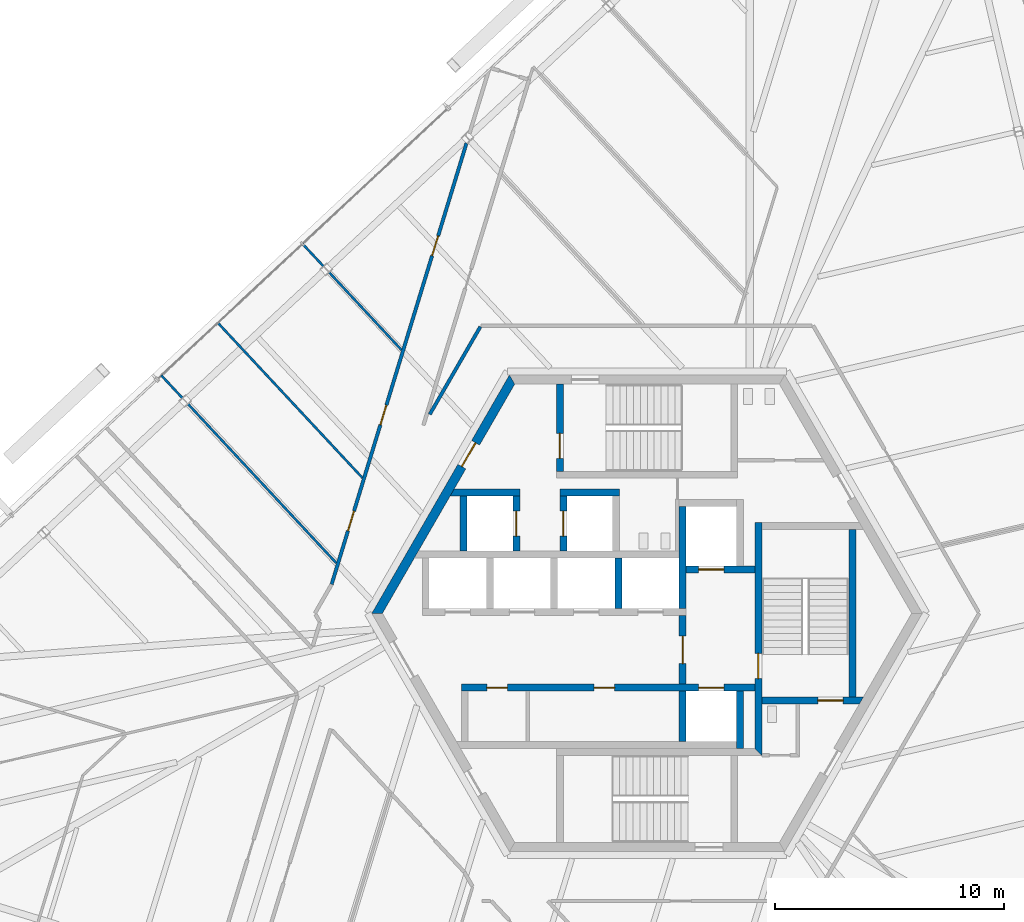
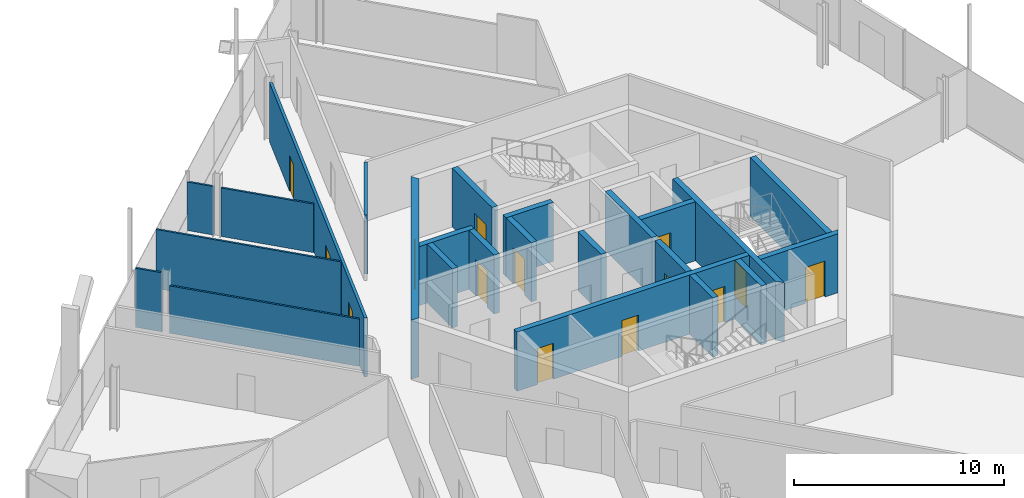
# One storey, part 14 of 23: 24 walls, 14 doors, 14 openings.
"""IFC4 building model written with IfcOpenShell, lengths in metres."""

from ifc_helpers import new_model, si_unit, direction, frame, frame_2d, origin, place, context, subcontext, project, spatial, polyline, rectangle, outline, extrude, source, transform, mapped, material, layer, layer_set, type_object, element, fill, save


model = new_model("IFC4")

# Units and contexts
model_context = context("Model", 3, precision=1e-05, world=origin(), true_north=direction((0.0, 1.0)))
body_context = subcontext(model_context, "Body", "Model", "MODEL_VIEW")
ifc_project = project(units=[si_unit("LENGTHUNIT", "METRE"), si_unit("AREAUNIT", "SQUARE_METRE"), si_unit("VOLUMEUNIT", "CUBIC_METRE"), si_unit("PLANEANGLEUNIT", "RADIAN"), si_unit("MASSUNIT", "GRAM", prefix="KILO")], contexts=[model_context])

# Site, building, storey
site_placement = place(None, origin())
site = spatial("IfcSite", under=ifc_project, at=site_placement, CompositionType="ELEMENT")
building_placement = place(site_placement, origin())
building = spatial("IfcBuilding", under=site, at=building_placement, Name="Triune Harvest Tower", CompositionType="ELEMENT")
storey_placement = place(building_placement, frame((0.0, 0.0, 105.5)))
storey = spatial("IfcBuildingStorey", under=building, at=storey_placement, Name="L26", CompositionType="ELEMENT", Elevation=105.5)

# Walls
ifc_material_1 = material(Name="Gypsum board on steel studs", Category="steel")
ifc_layer_1 = layer(ifc_material_1, 0.14990234375)
ifc_layer_set_1 = layer_set([ifc_layer_1], Name="Gypsum board on steel studs")
wall_type_1 = type_object("IfcWallType", Name="Fire Partition 150 mm", PredefinedType="PARTITIONING", material=ifc_layer_set_1)
wall_1_placement = place(storey_placement, frame((-9.47509765625, 8.673828125, 0.0), z_axis=(0.0, 0.0, 1.0), x_axis=(0.500027084986, 0.866009765696, 0.0)))
element("IfcWall", 1, at=wall_1_placement, inside=storey, type_object=wall_type_1, Name="Partition L26 036", PredefinedType="PARTITIONING", context=body_context, shape_type="SweptSolid", body=[
    extrude(rectangle(XDim=4.416748046875, YDim=0.14990234375, at=frame_2d((2.20849609375, 0.0))), origin(), (0.0, 0.0, 1.0), 3.43994140625),
])
ifc_material_2 = material(Name="Gypsum board on steel studs", Category="steel")
ifc_layer_2 = layer(ifc_material_2, 0.10009765625)
ifc_layer_set_2 = layer_set([ifc_layer_2], Name="Gypsum board on steel studs")
wall_type_2 = type_object("IfcWallType", Name="Partition 100 mm", PredefinedType="PARTITIONING", material=ifc_layer_set_2)
wall_2_placement = place(storey_placement, frame((-18.712890625, 12.664306640625, 0.0), z_axis=(0.0, 0.0, 1.0), x_axis=(0.68199889209, -0.731353205495, 0.0)))
element("IfcWall", 2, at=wall_2_placement, inside=storey, type_object=wall_type_2, Name="Partition L26 012", PredefinedType="PARTITIONING", context=body_context, shape_type="SweptSolid", body=[
    extrude(rectangle(XDim=9.235595703125, YDim=0.10009765625, at=frame_2d((4.61767578125, 0.0))), origin(), (0.0, 0.0, 1.0), 3.43994140625),
])
wall_3_placement = place(storey_placement, frame((-15.0205078125, 16.107421875, 0.0), z_axis=(0.0, 0.0, 1.0), x_axis=(0.68204515899, -0.731310058114, 0.0)))
element("IfcWall", 3, at=wall_3_placement, inside=storey, type_object=wall_type_2, Name="Partition L26 013", PredefinedType="PARTITIONING", context=body_context, shape_type="SweptSolid", body=[
    extrude(rectangle(XDim=1.338134765625, YDim=0.10009765625, at=frame_2d((0.6689453125, 0.0))), origin(), (0.0, 0.0, 1.0), 2.827880859375),
])

# Wall, opening, door
ifc_material_3 = material(Name="Concrete 70 MPa", Category="concrete")
ifc_layer_3 = layer(ifc_material_3, 0.39990234375)
ifc_layer_set_3 = layer_set([ifc_layer_3], Name="Concrete 70 MPa")
wall_type_3 = type_object("IfcWallType", Name="Core wall 400", PredefinedType="SHEAR", material=ifc_layer_set_3)
shared_shape_1 = source(origin(), body_context, "Body", "SweptSolid", [
    extrude(outline(polyline([(-0.115478515625, -0.199951171875), (11.884521484375, -0.199951171875), (11.653564453125, 0.199951171875), (0.115478515625, 0.199951171875), (-0.115478515625, -0.199951171875)])), origin(), (0.0, 0.0, 1.0), 3.43994140625),
])
wall_4_placement = place(storey_placement, frame((-5.884521484375, 10.1923828125, 0.0), z_axis=(0.0, 0.0, 1.0), x_axis=(-0.499996592174, -0.866027371285, 0.0)))
wall_4 = element("IfcWall", 4, at=wall_4_placement, inside=storey, type_object=wall_type_3, Name="Hexagon 2 wall", PredefinedType="SHEAR", context=body_context, shape_type="MappedRepresentation", body=[
    mapped(shared_shape_1, transform((0.0, 0.0, 0.0), scale=1.0)),
])
opening_1_placement = place(wall_4_placement, frame((3.1845703125, 0.0, 0.0)))
opening_1 = element("IfcOpeningElement", 5, at=opening_1_placement, cuts=wall_4, Name="Opening CD-SVP", PredefinedType="OPENING", context=body_context, shape_type="SweptSolid", body=[
    extrude(rectangle(XDim=1.199951171875, YDim=2.10009765625, at=frame_2d((0.60009765625, 1.050048828125))), frame((0.0, 0.2099609375, 0.0), z_axis=(0.0, -1.0, 0.0), x_axis=(1.0, 0.0, 0.0)), (0.0, 0.0, 1.0), 0.419921875),
])
ifc_material_4 = material(Name="Steel S235", Category="steel")
door_type_1 = type_object("IfcDoorType", Name="Service door 1200 FD120", OperationType="SINGLE_SWING_LEFT", PredefinedType="DOOR", material=ifc_material_4)
door_1_placement = place(opening_1_placement, frame((1.199951171875, 0.0, 0.0), z_axis=(0.0, 0.0, 1.0), x_axis=(-1.0, 0.0, 0.0)))
door_1 = element("IfcDoor", 6, at=door_1_placement, inside=storey, type_object=door_type_1, Name="Door CD-SVP", OperationType="SINGLE_SWING_RIGHT", OverallHeight=2.10009765625, OverallWidth=1.199951171875, PredefinedType="DOOR", context=body_context, shape_type="SweptSolid", body=[
    extrude(rectangle(XDim=1.199951171875, YDim=2.10009765625, at=frame_2d((0.60009765625, 1.050048828125))), frame((0.0, 0.02490234375, 0.0), z_axis=(0.0, -1.0, 0.0), x_axis=(1.0, 0.0, 0.0)), (0.0, 0.0, 1.0), 0.050048828125),
])
fill(opening_1, door_1)

# Walls
ifc_material_5 = material(Name="Concrete 70 MPa", Category="concrete")
ifc_layer_4 = layer(ifc_material_5, 0.300048828125)
ifc_layer_set_4 = layer_set([ifc_layer_4], Name="Concrete 70 MPa")
wall_type_4 = type_object("IfcWallType", Name="Core wall 300", PredefinedType="SHEAR", material=ifc_layer_set_4)
shared_shape_2 = source(origin(), body_context, "Body", "SweptSolid", [
    extrude(rectangle(XDim=2.5, YDim=0.300048828125, at=frame_2d((1.25, 0.0))), origin(), (0.0, 0.0, 1.0), 3.43994140625),
])
wall_5_placement = place(storey_placement, frame((4.050048828125, -5.889892578125, 0.0), z_axis=(0.0, 0.0, 1.0), x_axis=(0.0, 1.0, 0.0)))
element("IfcWall", 7, at=wall_5_placement, inside=storey, type_object=wall_type_4, Name="Ff2 east wall", PredefinedType="SHEAR", context=body_context, shape_type="MappedRepresentation", body=[
    mapped(shared_shape_2, transform((0.0, 0.0, 0.0), scale=1.0)),
])
shared_shape_3 = source(origin(), body_context, "Body", "SweptSolid", [
    extrude(rectangle(XDim=4.449951171875, YDim=0.300048828125, at=frame_2d((2.22509765625, 0.0))), origin(), (0.0, 0.0, 1.0), 3.43994140625),
])
wall_6_placement = place(storey_placement, frame((1.550048828125, 0.2099609375, 0.0), z_axis=(0.0, 0.0, 1.0), x_axis=(0.0, 1.0, 0.0)))
element("IfcWall", 8, at=wall_6_placement, inside=storey, type_object=wall_type_4, Name="Ff1 west wall", PredefinedType="SHEAR", context=body_context, shape_type="MappedRepresentation", body=[
    mapped(shared_shape_3, transform((0.0, 0.0, 0.0), scale=1.0)),
])

# Wall, opening, door
shared_shape_4 = source(origin(), body_context, "Body", "SweptSolid", [
    extrude(rectangle(XDim=3.0, YDim=0.300048828125, at=frame_2d((1.5, 0.0))), origin(), (0.0, 0.0, 1.0), 3.43994140625),
])
wall_7_placement = place(storey_placement, frame((1.699951171875, 1.909912109375, 0.0), z_axis=(0.0, 0.0, 1.0), x_axis=(1.0, 0.0, 0.0)))
wall_7 = element("IfcWall", 9, at=wall_7_placement, inside=storey, type_object=wall_type_4, Name="Ff1 front wall", PredefinedType="SHEAR", context=body_context, shape_type="MappedRepresentation", body=[
    mapped(shared_shape_4, transform((0.0, 0.0, 0.0), scale=1.0)),
])
opening_2_placement = place(wall_7_placement, frame((0.550048828125, 0.0, 0.0)))
opening_2 = element("IfcOpeningElement", 10, at=opening_2_placement, cuts=wall_7, Name="Opening LD-FF1-26", PredefinedType="OPENING", context=body_context, shape_type="SweptSolid", body=[
    extrude(rectangle(XDim=1.10009765625, YDim=2.10009765625, at=frame_2d((0.550048828125, 1.050048828125))), frame((0.0, 0.16015625, 0.0), z_axis=(0.0, -1.0, 0.0), x_axis=(1.0, 0.0, 0.0)), (0.0, 0.0, 1.0), 0.320068359375),
])
ifc_material_6 = material(Name="Stainless steel AISI 304", Category="steel")
door_type_2 = type_object("IfcDoorType", Name="Landing door 1100 x 2100", OperationType="DOUBLE_DOOR_SLIDING", PredefinedType="DOOR", material=ifc_material_6)
door_2_placement = place(opening_2_placement, origin())
door_2 = element("IfcDoor", 11, at=door_2_placement, inside=storey, type_object=door_type_2, Name="Door LD-FF1-26", OperationType="DOUBLE_DOOR_SLIDING", OverallHeight=2.10009765625, OverallWidth=1.10009765625, PredefinedType="DOOR", context=body_context, shape_type="SweptSolid", body=[
    extrude(rectangle(XDim=1.10009765625, YDim=2.10009765625, at=frame_2d((0.550048828125, 1.050048828125))), frame((0.0, 0.02490234375, 0.0), z_axis=(0.0, -1.0, 0.0), x_axis=(1.0, 0.0, 0.0)), (0.0, 0.0, 1.0), 0.050048828125),
])
fill(opening_2, door_2)

wall_8_placement = place(storey_placement, frame((1.550048828125, -3.090087890625, 0.0), z_axis=(0.0, 0.0, 1.0), x_axis=(0.0, 1.0, 0.0)))
wall_8 = element("IfcWall", 12, at=wall_8_placement, inside=storey, type_object=wall_type_4, Name="Ff lobby west wall", PredefinedType="SHEAR", context=body_context, shape_type="MappedRepresentation", body=[
    mapped(shared_shape_4, transform((0.0, 0.0, 0.0), scale=1.0)),
])
opening_3_placement = place(wall_8_placement, frame((0.89990234375, 0.0, 0.0)))
opening_3 = element("IfcOpeningElement", 13, at=opening_3_placement, cuts=wall_8, Name="Opening CD-FL", PredefinedType="OPENING", context=body_context, shape_type="SweptSolid", body=[
    extrude(rectangle(XDim=1.199951171875, YDim=2.10009765625, at=frame_2d((0.60009765625, 1.050048828125))), frame((0.0, 0.16015625, 0.0), z_axis=(0.0, -1.0, 0.0), x_axis=(1.0, 0.0, 0.0)), (0.0, 0.0, 1.0), 0.320068359375),
])
ifc_material_7 = material(Name="Steel S235", Category="steel")
door_type_3 = type_object("IfcDoorType", Name="Firefighters' lobby door 1200 FD120", OperationType="SINGLE_SWING_LEFT", PredefinedType="DOOR", material=ifc_material_7)
door_3_placement = place(opening_3_placement, frame((1.199951171875, 0.0, 0.0), z_axis=(0.0, 0.0, 1.0), x_axis=(-1.0, 0.0, 0.0)))
door_3 = element("IfcDoor", 14, at=door_3_placement, inside=storey, type_object=door_type_3, Name="Door CD-FL", OperationType="SINGLE_SWING_RIGHT", OverallHeight=2.10009765625, OverallWidth=1.199951171875, PredefinedType="DOOR", context=body_context, shape_type="SweptSolid", body=[
    extrude(rectangle(XDim=1.199951171875, YDim=2.10009765625, at=frame_2d((0.60009765625, 1.050048828125))), frame((0.0, 0.02490234375, 0.0), z_axis=(0.0, -1.0, 0.0), x_axis=(1.0, 0.0, 0.0)), (0.0, 0.0, 1.0), 0.050048828125),
])
fill(opening_3, door_3)

# Wall, openings, doors
shared_shape_5 = source(origin(), body_context, "Body", "SweptSolid", [
    extrude(rectangle(XDim=12.800048828125, YDim=0.300048828125, at=frame_2d((6.39990234375, 0.0))), origin(), (0.0, 0.0, 1.0), 3.43994140625),
])
wall_9_placement = place(storey_placement, frame((-8.10009765625, -3.239990234375, 0.0), z_axis=(0.0, 0.0, 1.0), x_axis=(1.0, 0.0, 0.0)))
wall_9 = element("IfcWall", 15, at=wall_9_placement, inside=storey, type_object=wall_type_4, Name="South front wall", PredefinedType="SHEAR", context=body_context, shape_type="MappedRepresentation", body=[
    mapped(shared_shape_5, transform((0.0, 0.0, 0.0), scale=1.0)),
])
opening_4_placement = place(wall_9_placement, frame((1.112548828125, 0.0, 0.0)))
opening_4 = element("IfcOpeningElement", 16, at=opening_4_placement, cuts=wall_9, Name="Opening CD-RS1", PredefinedType="OPENING", context=body_context, shape_type="SweptSolid", body=[
    extrude(rectangle(XDim=0.89990234375, YDim=2.10009765625, at=frame_2d((0.449951171875, 1.050048828125))), frame((0.0, 0.16015625, 0.0), z_axis=(0.0, -1.0, 0.0), x_axis=(1.0, 0.0, 0.0)), (0.0, 0.0, 1.0), 0.320068359375),
])
opening_5_placement = place(wall_9_placement, frame((5.78759765625, 0.0, 0.0)))
opening_5 = element("IfcOpeningElement", 17, at=opening_5_placement, cuts=wall_9, Name="Opening CD-RS2", PredefinedType="OPENING", context=body_context, shape_type="SweptSolid", body=[
    extrude(rectangle(XDim=0.89990234375, YDim=2.10009765625, at=frame_2d((0.449951171875, 1.050048828125))), frame((0.0, 0.16015625, 0.0), z_axis=(0.0, -1.0, 0.0), x_axis=(1.0, 0.0, 0.0)), (0.0, 0.0, 1.0), 0.320068359375),
])
opening_6_placement = place(wall_9_placement, frame((10.35009765625, 0.0, 0.0)))
opening_6 = element("IfcOpeningElement", 18, at=opening_6_placement, cuts=wall_9, Name="Opening LD-FF2-26", PredefinedType="OPENING", context=body_context, shape_type="SweptSolid", body=[
    extrude(rectangle(XDim=1.10009765625, YDim=2.10009765625, at=frame_2d((0.550048828125, 1.050048828125))), frame((0.0, 0.16015625, 0.0), z_axis=(0.0, -1.0, 0.0), x_axis=(1.0, 0.0, 0.0)), (0.0, 0.0, 1.0), 0.320068359375),
])
door_4_placement = place(opening_6_placement, origin())
door_4 = element("IfcDoor", 19, at=door_4_placement, inside=storey, type_object=door_type_2, Name="Door LD-FF2-26", OperationType="DOUBLE_DOOR_SLIDING", OverallHeight=2.10009765625, OverallWidth=1.10009765625, PredefinedType="DOOR", context=body_context, shape_type="SweptSolid", body=[
    extrude(rectangle(XDim=1.10009765625, YDim=2.10009765625, at=frame_2d((0.550048828125, 1.050048828125))), frame((0.0, 0.02490234375, 0.0), z_axis=(0.0, -1.0, 0.0), x_axis=(1.0, 0.0, 0.0)), (0.0, 0.0, 1.0), 0.050048828125),
])
fill(opening_6, door_4)
ifc_material_8 = material(Name="Steel S235", Category="steel")
door_type_4 = type_object("IfcDoorType", Name="Riser door 900 FD120", OperationType="SINGLE_SWING_LEFT", PredefinedType="DOOR", material=ifc_material_8)
door_5_placement = place(opening_4_placement, origin())
door_5 = element("IfcDoor", 20, at=door_5_placement, inside=storey, type_object=door_type_4, Name="Door CD-RS1", OperationType="SINGLE_SWING_LEFT", OverallHeight=2.10009765625, OverallWidth=0.89990234375, PredefinedType="DOOR", context=body_context, shape_type="SweptSolid", body=[
    extrude(rectangle(XDim=0.89990234375, YDim=2.10009765625, at=frame_2d((0.449951171875, 1.050048828125))), frame((0.0, 0.02490234375, 0.0), z_axis=(0.0, -1.0, 0.0), x_axis=(1.0, 0.0, 0.0)), (0.0, 0.0, 1.0), 0.050048828125),
])
fill(opening_4, door_5)
door_6_placement = place(opening_5_placement, origin())
door_6 = element("IfcDoor", 21, at=door_6_placement, inside=storey, type_object=door_type_4, Name="Door CD-RS2", OperationType="SINGLE_SWING_LEFT", OverallHeight=2.10009765625, OverallWidth=0.89990234375, PredefinedType="DOOR", context=body_context, shape_type="SweptSolid", body=[
    extrude(rectangle(XDim=0.89990234375, YDim=2.10009765625, at=frame_2d((0.449951171875, 1.050048828125))), frame((0.0, 0.02490234375, 0.0), z_axis=(0.0, -1.0, 0.0), x_axis=(1.0, 0.0, 0.0)), (0.0, 0.0, 1.0), 0.050048828125),
])
fill(opening_5, door_6)

# Walls
shared_shape_6 = source(origin(), body_context, "Body", "SweptSolid", [
    extrude(rectangle(XDim=2.2001953125, YDim=0.300048828125, at=frame_2d((1.10009765625, 0.0))), origin(), (0.0, 0.0, 1.0), 3.43994140625),
])
wall_10_placement = place(storey_placement, frame((1.550048828125, -5.590087890625, 0.0), z_axis=(0.0, 0.0, 1.0), x_axis=(0.0, 1.0, 0.0)))
element("IfcWall", 22, at=wall_10_placement, inside=storey, type_object=wall_type_4, Name="Ff2 west wall", PredefinedType="SHEAR", context=body_context, shape_type="MappedRepresentation", body=[
    mapped(shared_shape_6, transform((0.0, 0.0, 0.0), scale=1.0)),
])
shared_shape_7 = source(origin(), body_context, "Body", "SweptSolid", [
    extrude(rectangle(XDim=2.199951171875, YDim=0.300048828125, at=frame_2d((1.10009765625, 0.0))), origin(), (0.0, 0.0, 1.0), 3.43994140625),
])
wall_11_placement = place(storey_placement, frame((-1.25, 0.2099609375, 0.0), z_axis=(0.0, 0.0, 1.0), x_axis=(0.0, 1.0, 0.0)))
element("IfcWall", 23, at=wall_11_placement, inside=storey, type_object=wall_type_4, Name="North cross 3 wall", PredefinedType="SHEAR", context=body_context, shape_type="MappedRepresentation", body=[
    mapped(shared_shape_7, transform((0.0, 0.0, 0.0), scale=1.0)),
])

# Wall, opening, door
shared_shape_8 = source(origin(), body_context, "Body", "SweptSolid", [
    extrude(outline(polyline([(-0.14990234375, -0.14990234375), (9.989990234375, -0.14990234375), (9.989990234375, 0.14990234375), (0.14990234375, 0.14990234375), (-0.14990234375, -0.14990234375)])), origin(), (0.0, 0.0, 1.0), 3.43994140625),
])
wall_12_placement = place(storey_placement, frame((4.85009765625, -6.0400390625, 0.0), z_axis=(0.0, 0.0, 1.0), x_axis=(0.0, 1.0, 0.0)))
wall_12 = element("IfcWall", 24, at=wall_12_placement, inside=storey, type_object=wall_type_4, Name="Stair e west wall", PredefinedType="SHEAR", context=body_context, shape_type="MappedRepresentation", body=[
    mapped(shared_shape_8, transform((0.0, 0.0, 0.0), scale=1.0)),
])
opening_7_placement = place(wall_12_placement, frame((3.18994140625, 0.0, 0.0)))
opening_7 = element("IfcOpeningElement", 25, at=opening_7_placement, cuts=wall_12, Name="Opening CD-S3L", PredefinedType="OPENING", context=body_context, shape_type="SweptSolid", body=[
    extrude(rectangle(XDim=1.10009765625, YDim=2.10009765625, at=frame_2d((0.550048828125, 1.050048828125))), frame((0.0, 0.16015625, 0.0), z_axis=(0.0, -1.0, 0.0), x_axis=(1.0, 0.0, 0.0)), (0.0, 0.0, 1.0), 0.320068359375),
])
ifc_material_9 = material(Name="Steel S235", Category="steel")
door_type_5 = type_object("IfcDoorType", Name="Stair door 1100 FD120", OperationType="SINGLE_SWING_LEFT", PredefinedType="DOOR", material=ifc_material_9)
door_7_placement = place(opening_7_placement, frame((1.10009765625, 0.0, 0.0), z_axis=(0.0, 0.0, 1.0), x_axis=(-1.0, 0.0, 0.0)))
door_7 = element("IfcDoor", 26, at=door_7_placement, inside=storey, type_object=door_type_5, Name="Door CD-S3L", OperationType="SINGLE_SWING_RIGHT", OverallHeight=2.10009765625, OverallWidth=1.10009765625, PredefinedType="DOOR", context=body_context, shape_type="SweptSolid", body=[
    extrude(rectangle(XDim=1.10009765625, YDim=2.10009765625, at=frame_2d((0.550048828125, 1.050048828125))), frame((0.0, 0.02490234375, 0.0), z_axis=(0.0, -1.0, 0.0), x_axis=(1.0, 0.0, 0.0)), (0.0, 0.0, 1.0), 0.050048828125),
])
fill(opening_7, door_7)

shared_shape_9 = source(origin(), body_context, "Body", "SweptSolid", [
    extrude(outline(polyline([(0.0, -0.14990234375), (0.0, 0.14990234375), (4.43310546875, 0.14990234375), (4.260009765625, -0.14990234375), (0.0, -0.14990234375)])), origin(), (0.0, 0.0, 1.0), 3.43994140625),
])
wall_13_placement = place(storey_placement, frame((5.0, -3.800048828125, 0.0), z_axis=(0.0, 0.0, 1.0), x_axis=(1.0, 0.0, 0.0)))
wall_13 = element("IfcWall", 27, at=wall_13_placement, inside=storey, type_object=wall_type_4, Name="Stair e south wall", PredefinedType="SHEAR", context=body_context, shape_type="MappedRepresentation", body=[
    mapped(shared_shape_9, transform((0.0, 0.0, 0.0), scale=1.0)),
])
opening_8_placement = place(wall_13_placement, frame((2.449951171875, 0.0, 0.0)))
opening_8 = element("IfcOpeningElement", 28, at=opening_8_placement, cuts=wall_13, Name="Opening CD-S3D", PredefinedType="OPENING", context=body_context, shape_type="SweptSolid", body=[
    extrude(rectangle(XDim=1.10009765625, YDim=2.10009765625, at=frame_2d((0.550048828125, 1.050048828125))), frame((0.0, 0.16015625, 0.0), z_axis=(0.0, -1.0, 0.0), x_axis=(1.0, 0.0, 0.0)), (0.0, 0.0, 1.0), 0.320068359375),
])
door_8_placement = place(opening_8_placement, frame((1.10009765625, 0.0, 0.0), z_axis=(0.0, 0.0, 1.0), x_axis=(-1.0, 0.0, 0.0)))
door_8 = element("IfcDoor", 29, at=door_8_placement, inside=storey, type_object=door_type_5, Name="Door CD-S3D", OperationType="SINGLE_SWING_RIGHT", OverallHeight=2.10009765625, OverallWidth=1.10009765625, PredefinedType="DOOR", context=body_context, shape_type="SweptSolid", body=[
    extrude(rectangle(XDim=1.10009765625, YDim=2.10009765625, at=frame_2d((0.550048828125, 1.050048828125))), frame((0.0, 0.02490234375, 0.0), z_axis=(0.0, -1.0, 0.0), x_axis=(1.0, 0.0, 0.0)), (0.0, 0.0, 1.0), 0.050048828125),
])
fill(opening_8, door_8)

# Wall
shared_shape_10 = source(origin(), body_context, "Body", "SweptSolid", [
    extrude(rectangle(XDim=7.2998046875, YDim=0.300048828125, at=frame_2d((3.64990234375, 0.0))), origin(), (0.0, 0.0, 1.0), 3.43994140625),
])
wall_14_placement = place(storey_placement, frame((8.949951171875, -3.64990234375, 0.0), z_axis=(0.0, 0.0, 1.0), x_axis=(0.0, 1.0, 0.0)))
element("IfcWall", 30, at=wall_14_placement, inside=storey, type_object=wall_type_4, Name="Stair e east wall", PredefinedType="SHEAR", context=body_context, shape_type="MappedRepresentation", body=[
    mapped(shared_shape_10, transform((0.0, 0.0, 0.0), scale=1.0)),
])

# Wall, opening, door
shared_shape_11 = source(origin(), body_context, "Body", "SweptSolid", [
    extrude(outline(polyline([(0.0, -0.14990234375), (0.0, 0.14990234375), (3.80419921875, 0.14990234375), (3.80419921875, -0.14990234375), (0.0, -0.14990234375)])), origin(), (0.0, 0.0, 1.0), 3.43994140625),
])
wall_15_placement = place(storey_placement, frame((-3.800048828125, 6.18994140625, 0.0), z_axis=(0.0, 0.0, 1.0), x_axis=(0.0, 1.0, 0.0)))
wall_15 = element("IfcWall", 31, at=wall_15_placement, inside=storey, type_object=wall_type_4, Name="Stair n west wall", PredefinedType="SHEAR", context=body_context, shape_type="MappedRepresentation", body=[
    mapped(shared_shape_11, transform((0.0, 0.0, 0.0), scale=1.0)),
])
opening_9_placement = place(wall_15_placement, frame((0.56005859375, 0.0, 0.0)))
opening_9 = element("IfcOpeningElement", 32, at=opening_9_placement, cuts=wall_15, Name="Opening CD-S1L", PredefinedType="OPENING", context=body_context, shape_type="SweptSolid", body=[
    extrude(rectangle(XDim=1.10009765625, YDim=2.10009765625, at=frame_2d((0.550048828125, 1.050048828125))), frame((0.0, 0.16015625, 0.0), z_axis=(0.0, -1.0, 0.0), x_axis=(1.0, 0.0, 0.0)), (0.0, 0.0, 1.0), 0.320068359375),
])
door_9_placement = place(opening_9_placement, frame((1.10009765625, 0.0, 0.0), z_axis=(0.0, 0.0, 1.0), x_axis=(-1.0, 0.0, 0.0)))
door_9 = element("IfcDoor", 33, at=door_9_placement, inside=storey, type_object=door_type_5, Name="Door CD-S1L", OperationType="SINGLE_SWING_RIGHT", OverallHeight=2.10009765625, OverallWidth=1.10009765625, PredefinedType="DOOR", context=body_context, shape_type="SweptSolid", body=[
    extrude(rectangle(XDim=1.10009765625, YDim=2.10009765625, at=frame_2d((0.550048828125, 1.050048828125))), frame((0.0, 0.02490234375, 0.0), z_axis=(0.0, -1.0, 0.0), x_axis=(1.0, 0.0, 0.0)), (0.0, 0.0, 1.0), 0.050048828125),
])
fill(opening_9, door_9)

# Walls
shared_shape_12 = source(origin(), body_context, "Body", "SweptSolid", [
    extrude(outline(polyline([(2.60009765625, -0.14990234375), (-0.440185546875, -0.14990234375), (-0.26708984375, 0.14990234375), (2.60009765625, 0.14990234375), (2.60009765625, -0.14990234375)])), origin(), (0.0, 0.0, 1.0), 3.43994140625),
])
wall_16_placement = place(storey_placement, frame((-8.14990234375, 5.260009765625, 0.0), z_axis=(0.0, 0.0, 1.0), x_axis=(1.0, 0.0, 0.0)))
element("IfcWall", 34, at=wall_16_placement, inside=storey, type_object=wall_type_4, Name="Sv1 north wall", PredefinedType="SHEAR", context=body_context, shape_type="MappedRepresentation", body=[
    mapped(shared_shape_12, transform((0.0, 0.0, 0.0), scale=1.0)),
])
shared_shape_13 = source(origin(), body_context, "Body", "SweptSolid", [
    extrude(rectangle(XDim=2.400146484375, YDim=0.300048828125, at=frame_2d((1.2001953125, 0.0))), origin(), (0.0, 0.0, 1.0), 3.43994140625),
])
wall_17_placement = place(storey_placement, frame((-8.0, 2.7099609375, 0.0), z_axis=(0.0, 0.0, 1.0), x_axis=(0.0, 1.0, 0.0)))
element("IfcWall", 35, at=wall_17_placement, inside=storey, type_object=wall_type_4, Name="Sv1 west wall", PredefinedType="SHEAR", context=body_context, shape_type="MappedRepresentation", body=[
    mapped(shared_shape_13, transform((0.0, 0.0, 0.0), scale=1.0)),
])

# Wall, opening, door
wall_18_placement = place(storey_placement, frame((-5.699951171875, 2.7099609375, 0.0), z_axis=(0.0, 0.0, 1.0), x_axis=(0.0, 1.0, 0.0)))
wall_18 = element("IfcWall", 36, at=wall_18_placement, inside=storey, type_object=wall_type_4, Name="Sv1 east wall", PredefinedType="SHEAR", context=body_context, shape_type="MappedRepresentation", body=[
    mapped(shared_shape_13, transform((0.0, 0.0, 0.0), scale=1.0)),
])
opening_10_placement = place(wall_18_placement, frame((0.64990234375, 0.0, 0.0)))
opening_10 = element("IfcOpeningElement", 37, at=opening_10_placement, cuts=wall_18, Name="Opening LD-SV1-26", PredefinedType="OPENING", context=body_context, shape_type="SweptSolid", body=[
    extrude(rectangle(XDim=1.10009765625, YDim=2.10009765625, at=frame_2d((0.550048828125, 1.050048828125))), frame((0.0, 0.16015625, 0.0), z_axis=(0.0, -1.0, 0.0), x_axis=(1.0, 0.0, 0.0)), (0.0, 0.0, 1.0), 0.320068359375),
])
door_10_placement = place(opening_10_placement, origin())
door_10 = element("IfcDoor", 38, at=door_10_placement, inside=storey, type_object=door_type_2, Name="Door LD-SV1-26", OperationType="DOUBLE_DOOR_SLIDING", OverallHeight=2.10009765625, OverallWidth=1.10009765625, PredefinedType="DOOR", context=body_context, shape_type="SweptSolid", body=[
    extrude(rectangle(XDim=1.10009765625, YDim=2.10009765625, at=frame_2d((0.550048828125, 1.050048828125))), frame((0.0, 0.02490234375, 0.0), z_axis=(0.0, -1.0, 0.0), x_axis=(1.0, 0.0, 0.0)), (0.0, 0.0, 1.0), 0.050048828125),
])
fill(opening_10, door_10)

wall_19_placement = place(storey_placement, frame((-3.64990234375, 2.7099609375, 0.0), z_axis=(0.0, 0.0, 1.0), x_axis=(0.0, 1.0, 0.0)))
wall_19 = element("IfcWall", 39, at=wall_19_placement, inside=storey, type_object=wall_type_4, Name="Sv2 west wall", PredefinedType="SHEAR", context=body_context, shape_type="MappedRepresentation", body=[
    mapped(shared_shape_13, transform((0.0, 0.0, 0.0), scale=1.0)),
])
opening_11_placement = place(wall_19_placement, frame((0.64990234375, 0.0, 0.0)))
opening_11 = element("IfcOpeningElement", 40, at=opening_11_placement, cuts=wall_19, Name="Opening LD-SV2-26", PredefinedType="OPENING", context=body_context, shape_type="SweptSolid", body=[
    extrude(rectangle(XDim=1.10009765625, YDim=2.10009765625, at=frame_2d((0.550048828125, 1.050048828125))), frame((0.0, 0.16015625, 0.0), z_axis=(0.0, -1.0, 0.0), x_axis=(1.0, 0.0, 0.0)), (0.0, 0.0, 1.0), 0.320068359375),
])
door_11_placement = place(opening_11_placement, origin())
door_11 = element("IfcDoor", 41, at=door_11_placement, inside=storey, type_object=door_type_2, Name="Door LD-SV2-26", OperationType="DOUBLE_DOOR_SLIDING", OverallHeight=2.10009765625, OverallWidth=1.10009765625, PredefinedType="DOOR", context=body_context, shape_type="SweptSolid", body=[
    extrude(rectangle(XDim=1.10009765625, YDim=2.10009765625, at=frame_2d((0.550048828125, 1.050048828125))), frame((0.0, 0.02490234375, 0.0), z_axis=(0.0, -1.0, 0.0), x_axis=(1.0, 0.0, 0.0)), (0.0, 0.0, 1.0), 0.050048828125),
])
fill(opening_11, door_11)

# Walls
shared_shape_14 = source(origin(), body_context, "Body", "SweptSolid", [
    extrude(rectangle(XDim=2.60009765625, YDim=0.300048828125, at=frame_2d((1.300048828125, 0.0))), origin(), (0.0, 0.0, 1.0), 3.43994140625),
])
wall_20_placement = place(storey_placement, frame((-3.800048828125, 5.260009765625, 0.0), z_axis=(0.0, 0.0, 1.0), x_axis=(1.0, 0.0, 0.0)))
element("IfcWall", 42, at=wall_20_placement, inside=storey, type_object=wall_type_4, Name="Sv2 north wall", PredefinedType="SHEAR", context=body_context, shape_type="MappedRepresentation", body=[
    mapped(shared_shape_14, transform((0.0, 0.0, 0.0), scale=1.0)),
])
shared_shape_15 = source(origin(), body_context, "Body", "SweptSolid", [
    extrude(rectangle(XDim=1.338134765625, YDim=0.10009765625, at=frame_2d((0.6689453125, 0.0))), origin(), (0.0, 0.0, 1.0), 3.43994140625),
])
wall_21_placement = place(storey_placement, frame((-21.17431640625, 10.368896484375, 0.0), z_axis=(0.0, 0.0, 1.0), x_axis=(0.681954155979, -0.731394920096, 0.0)))
element("IfcWall", 43, at=wall_21_placement, inside=storey, type_object=wall_type_2, Name="Partition L26 010", PredefinedType="PARTITIONING", context=body_context, shape_type="MappedRepresentation", body=[
    mapped(shared_shape_15, transform((0.0, 0.0, 0.0), scale=1.0)),
])
shared_shape_16 = source(origin(), body_context, "Body", "SweptSolid", [
    extrude(rectangle(XDim=9.479736328125, YDim=0.10009765625, at=frame_2d((4.73974609375, 0.0))), origin(), (0.0, 0.0, 1.0), 2.7568359375),
])
wall_22_placement = place(storey_placement, frame((-20.015625, 9.126220703125, 0.0), z_axis=(0.0, 0.0, 1.0), x_axis=(0.681990598836, -0.731360939003, 0.0)))
element("IfcWall", 44, at=wall_22_placement, inside=storey, type_object=wall_type_2, Name="Partition L26 011", PredefinedType="PARTITIONING", context=body_context, shape_type="MappedRepresentation", body=[
    mapped(shared_shape_16, transform((0.0, 0.0, 0.0), scale=1.0)),
])

# Wall, openings, doors
shared_shape_17 = source(origin(), body_context, "Body", "SweptSolid", [
    extrude(rectangle(XDim=20.118896484375, YDim=0.14990234375, at=frame_2d((10.0595703125, 0.0))), origin(), (0.0, 0.0, 1.0), 3.43994140625),
])
wall_23_placement = place(storey_placement, frame((-13.75341796875, 1.26318359375, 0.0), z_axis=(0.0, 0.0, 1.0), x_axis=(0.292378229179, 0.956302761212, 0.0)))
wall_23 = element("IfcWall", 45, at=wall_23_placement, inside=storey, type_object=wall_type_1, Name="Partition L26 048", PredefinedType="PARTITIONING", context=body_context, shape_type="MappedRepresentation", body=[
    mapped(shared_shape_17, transform((0.0, 0.0, 0.0), scale=1.0)),
])
opening_12_placement = place(wall_23_placement, frame((14.986083984375, 0.0, 0.0)))
opening_12 = element("IfcOpeningElement", 46, at=opening_12_placement, cuts=wall_23, Name="Opening L26-005", PredefinedType="OPENING", context=body_context, shape_type="SweptSolid", body=[
    extrude(rectangle(XDim=0.89990234375, YDim=2.10009765625, at=frame_2d((0.449951171875, 1.050048828125))), frame((0.0, 0.0849609375, 0.0), z_axis=(0.0, -1.0, 0.0), x_axis=(1.0, 0.0, 0.0)), (0.0, 0.0, 1.0), 0.169921875),
])
opening_13_placement = place(wall_23_placement, frame((2.440185546875, 0.0, 0.0)))
opening_13 = element("IfcOpeningElement", 47, at=opening_13_placement, cuts=wall_23, Name="Opening L26-007", PredefinedType="OPENING", context=body_context, shape_type="SweptSolid", body=[
    extrude(rectangle(XDim=0.89990234375, YDim=2.10009765625, at=frame_2d((0.449951171875, 1.050048828125))), frame((0.0, 0.0849609375, 0.0), z_axis=(0.0, -1.0, 0.0), x_axis=(1.0, 0.0, 0.0)), (0.0, 0.0, 1.0), 0.169921875),
])
opening_14_placement = place(wall_23_placement, frame((7.27001953125, 0.0, 0.0)))
opening_14 = element("IfcOpeningElement", 48, at=opening_14_placement, cuts=wall_23, Name="Opening L26-008", PredefinedType="OPENING", context=body_context, shape_type="SweptSolid", body=[
    extrude(rectangle(XDim=0.89990234375, YDim=2.10009765625, at=frame_2d((0.449951171875, 1.050048828125))), frame((0.0, 0.0849609375, 0.0), z_axis=(0.0, -1.0, 0.0), x_axis=(1.0, 0.0, 0.0)), (0.0, 0.0, 1.0), 0.169921875),
])
ifc_material_10 = material(Name="Timber and steel door set", Category="steel")
door_type_6 = type_object("IfcDoorType", Name="Single leaf door FD30 left hand 900 x 2100", OperationType="SINGLE_SWING_LEFT", PredefinedType="DOOR", material=ifc_material_10)
door_12_placement = place(opening_13_placement, origin())
door_12 = element("IfcDoor", 49, at=door_12_placement, inside=storey, type_object=door_type_6, Name="Door L26-007 Office 26.07", OperationType="SINGLE_SWING_LEFT", OverallHeight=2.10009765625, OverallWidth=0.89990234375, PredefinedType="DOOR", context=body_context, shape_type="SweptSolid", body=[
    extrude(rectangle(XDim=0.89990234375, YDim=2.10009765625, at=frame_2d((0.449951171875, 1.050048828125))), frame((0.0, 0.02490234375, 0.0), z_axis=(0.0, -1.0, 0.0), x_axis=(1.0, 0.0, 0.0)), (0.0, 0.0, 1.0), 0.050048828125),
])
fill(opening_13, door_12)
door_13_placement = place(opening_14_placement, origin())
door_13 = element("IfcDoor", 50, at=door_13_placement, inside=storey, type_object=door_type_6, Name="Door L26-008 Office 26.08", OperationType="SINGLE_SWING_LEFT", OverallHeight=2.10009765625, OverallWidth=0.89990234375, PredefinedType="DOOR", context=body_context, shape_type="SweptSolid", body=[
    extrude(rectangle(XDim=0.89990234375, YDim=2.10009765625, at=frame_2d((0.449951171875, 1.050048828125))), frame((0.0, 0.02490234375, 0.0), z_axis=(0.0, -1.0, 0.0), x_axis=(1.0, 0.0, 0.0)), (0.0, 0.0, 1.0), 0.050048828125),
])
fill(opening_14, door_13)
ifc_material_11 = material(Name="Timber and steel door set", Category="steel")
door_type_7 = type_object("IfcDoorType", Name="Single leaf door FD30 right hand 900 x 2100", OperationType="SINGLE_SWING_RIGHT", PredefinedType="DOOR", material=ifc_material_11)
door_14_placement = place(opening_12_placement, origin())
door_14 = element("IfcDoor", 51, at=door_14_placement, inside=storey, type_object=door_type_7, Name="Door L26-005 Office 26.05", OperationType="SINGLE_SWING_RIGHT", OverallHeight=2.10009765625, OverallWidth=0.89990234375, PredefinedType="DOOR", context=body_context, shape_type="SweptSolid", body=[
    extrude(rectangle(XDim=0.89990234375, YDim=2.10009765625, at=frame_2d((0.449951171875, 1.050048828125))), frame((0.0, 0.02490234375, 0.0), z_axis=(0.0, -1.0, 0.0), x_axis=(1.0, 0.0, 0.0)), (0.0, 0.0, 1.0), 0.050048828125),
])
fill(opening_12, door_14)

# Wall
shared_shape_18 = source(origin(), body_context, "Body", "SweptSolid", [
    extrude(rectangle(XDim=4.621337890625, YDim=0.10009765625, at=frame_2d((2.310546875, 0.0))), origin(), (0.0, 0.0, 1.0), 2.827880859375),
])
wall_24_placement = place(storey_placement, frame((-13.861572265625, 14.86474609375, 0.0), z_axis=(0.0, 0.0, 1.0), x_axis=(0.682005739114, -0.731346820472, 0.0)))
element("IfcWall", 52, at=wall_24_placement, inside=storey, type_object=wall_type_2, Name="Partition L26 014", PredefinedType="PARTITIONING", context=body_context, shape_type="MappedRepresentation", body=[
    mapped(shared_shape_18, transform((0.0, 0.0, 0.0), scale=1.0)),
])

save(model, "model.ifc")
